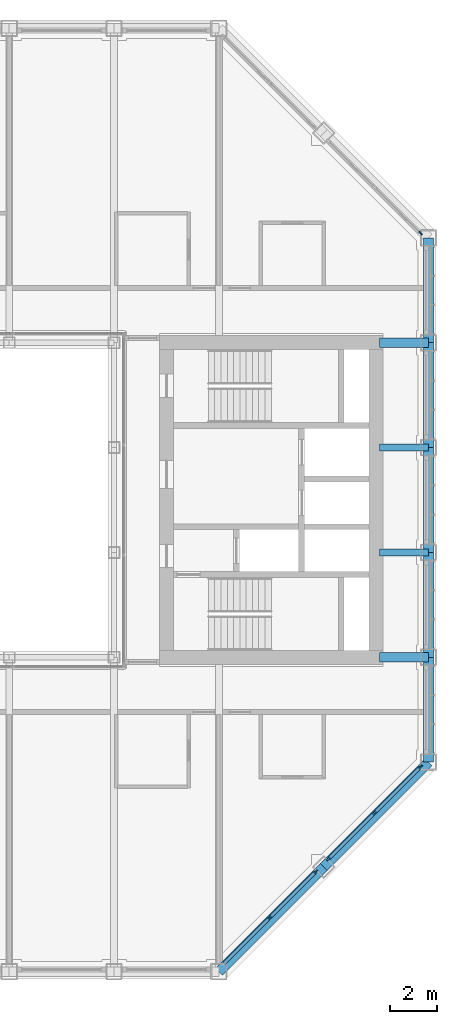
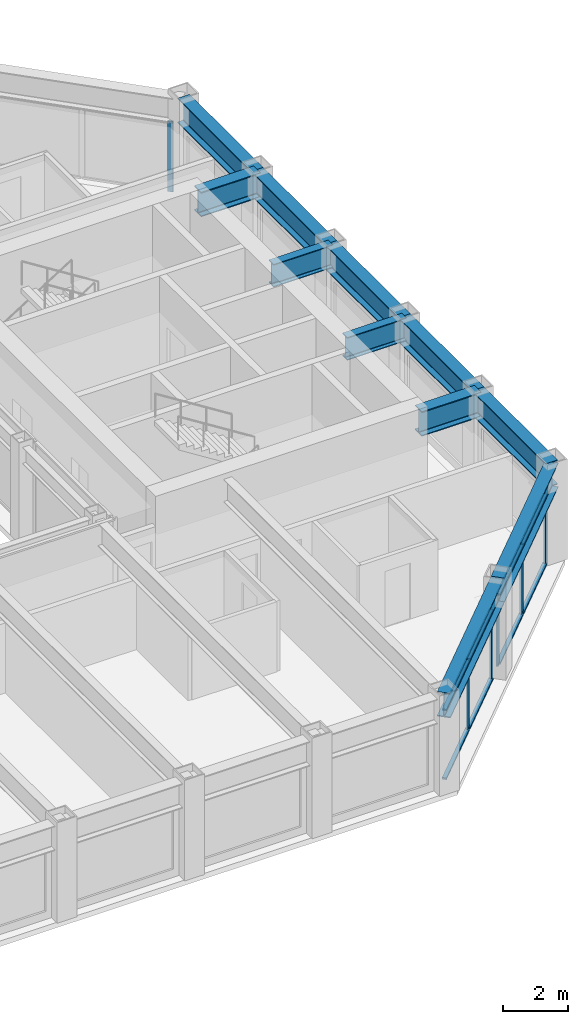
# One storey, part 5 of 16: 14 members, 11 beams, 3 elements without a shape of their own.
"""IFC4 building model written with IfcOpenShell, lengths in metres."""

from ifc_helpers import new_model, si_unit, direction, frame, origin, origin_2d, place, context, subcontext, project, spatial, rectangle, i_section, extrude, material, material_profile, profile_set, type_object, element, aggregate, save


model = new_model("IFC4")

# Units and contexts
model_context = context("Model", 3, precision=1e-05, world=origin(), true_north=direction((0.0, 1.0)))
body_context = subcontext(model_context, "Body", "Model", "MODEL_VIEW")
ifc_project = project(units=[si_unit("LENGTHUNIT", "METRE"), si_unit("AREAUNIT", "SQUARE_METRE"), si_unit("VOLUMEUNIT", "CUBIC_METRE"), si_unit("PLANEANGLEUNIT", "RADIAN"), si_unit("MASSUNIT", "GRAM", prefix="KILO")], contexts=[model_context])

# Site, building, storey
site_placement = place(None, origin())
site = spatial("IfcSite", under=ifc_project, at=site_placement, CompositionType="ELEMENT")
building_placement = place(site_placement, origin())
building = spatial("IfcBuilding", under=site, at=building_placement, Name="Msasa Ring Tower", CompositionType="ELEMENT")
storey_placement = place(building_placement, frame((0.0, 0.0, 215.800048828125)))
storey = spatial("IfcBuildingStorey", under=building, at=storey_placement, Name="L56", CompositionType="ELEMENT", Elevation=215.800048828125)

# Curtain wall, members
ifc_material_1 = material(Name="Aluminium curtain wall with clear glass", Category="aluminium")
curtain_wall_type = type_object("IfcCurtainWallType", Name="CW-C CHAMFER CORNER CURTAIN WALL", PredefinedType="NOTDEFINED", material=ifc_material_1)
curtain_wall_1_placement = place(storey_placement, origin())
curtain_wall_1 = element("IfcCurtainWall", 1, at=curtain_wall_1_placement, inside=storey, type_object=curtain_wall_type, Name="Chamfer corner curtain wall SE L56", PredefinedType="NOTDEFINED")
ifc_material_2 = material(Name="Aluminium mullion", Category="aluminium")
ifc_material_profile_1 = material_profile(ifc_material_2, rectangle(XDim=0.06494140625, YDim=0.179931640625, at=origin_2d()), Name="AL 65x180")
ifc_profile_set_1 = profile_set([ifc_material_profile_1], Name="Aluminium mullion")
member_type_1 = type_object("IfcMemberType", Name="CW-C MULLION 65x180", PredefinedType="MULLION", material=ifc_profile_set_1)
member_1_placement = place(storey_placement, frame((13.42919921875, -17.92919921875, 0.0), z_axis=(0.0, 0.0, 1.0), x_axis=(-0.707106781187, 0.707106781187, 0.0)))
member_1 = element("IfcMember", 2, at=member_1_placement, type_object=member_type_1, Name="CW-C mullion 2", PredefinedType="MULLION", context=body_context, shape_type="SweptSolid", body=[
    extrude(rectangle(XDim=0.06494140625, YDim=0.179931640625, at=origin_2d()), origin(), (0.0, 0.0, 1.0), 2.62890625),
])
member_2_placement = place(storey_placement, frame((15.4052734375, -15.953369140625, 0.0), z_axis=(0.0, 0.0, 1.0), x_axis=(-0.707106781187, 0.707106781187, 0.0)))
member_2 = element("IfcMember", 3, at=member_2_placement, type_object=member_type_1, Name="CW-C mullion 3", PredefinedType="MULLION", context=body_context, shape_type="SweptSolid", body=[
    extrude(rectangle(XDim=0.06494140625, YDim=0.179931640625, at=origin_2d()), origin(), (0.0, 0.0, 1.0), 2.62890625),
])

curtain_wall_2_placement = place(storey_placement, origin())
curtain_wall_2 = element("IfcCurtainWall", 4, at=curtain_wall_2_placement, inside=storey, type_object=curtain_wall_type, Name="Chamfer corner curtain wall SE L56", PredefinedType="NOTDEFINED")
member_3_placement = place(storey_placement, frame((15.953369140625, -15.4052734375, 0.0), z_axis=(0.0, 0.0, 1.0), x_axis=(-0.707106781187, 0.707106781187, 0.0)))
member_3 = element("IfcMember", 5, at=member_3_placement, type_object=member_type_1, Name="CW-C mullion 1", PredefinedType="MULLION", context=body_context, shape_type="SweptSolid", body=[
    extrude(rectangle(XDim=0.06494140625, YDim=0.179931640625, at=origin_2d()), origin(), (0.0, 0.0, 1.0), 2.62890625),
])
member_4_placement = place(storey_placement, frame((17.92919921875, -13.42919921875, 0.0), z_axis=(0.0, 0.0, 1.0), x_axis=(-0.707106781187, 0.707106781187, 0.0)))
member_4 = element("IfcMember", 6, at=member_4_placement, type_object=member_type_1, Name="CW-C mullion 2", PredefinedType="MULLION", context=body_context, shape_type="SweptSolid", body=[
    extrude(rectangle(XDim=0.06494140625, YDim=0.179931640625, at=origin_2d()), origin(), (0.0, 0.0, 1.0), 2.62890625),
])
member_5_placement = place(storey_placement, frame((19.9052734375, -11.453369140625, 0.0), z_axis=(0.0, 0.0, 1.0), x_axis=(-0.707106781187, 0.707106781187, 0.0)))
member_5 = element("IfcMember", 7, at=member_5_placement, type_object=member_type_1, Name="CW-C mullion 3", PredefinedType="MULLION", context=body_context, shape_type="SweptSolid", body=[
    extrude(rectangle(XDim=0.06494140625, YDim=0.179931640625, at=origin_2d()), origin(), (0.0, 0.0, 1.0), 2.62890625),
])

# Curtain wall, member
curtain_wall_3_placement = place(storey_placement, origin())
curtain_wall_3 = element("IfcCurtainWall", 8, at=curtain_wall_3_placement, inside=storey, type_object=curtain_wall_type, Name="Chamfer corner curtain wall NE L56", PredefinedType="NOTDEFINED")
member_6_placement = place(storey_placement, frame((19.9052734375, 11.453369140625, 0.0), z_axis=(0.0, 0.0, 1.0), x_axis=(-0.707106781187, -0.707106781187, 0.0)))
member_6 = element("IfcMember", 9, at=member_6_placement, type_object=member_type_1, Name="CW-C mullion 1", PredefinedType="MULLION", context=body_context, shape_type="SweptSolid", body=[
    extrude(rectangle(XDim=0.06494140625, YDim=0.179931640625, at=origin_2d()), origin(), (0.0, 0.0, 1.0), 2.62890625),
])
aggregate(curtain_wall_3, [member_6])

# Member
ifc_material_3 = material(Name="Aluminium transom", Category="aluminium")
ifc_material_profile_2 = material_profile(ifc_material_3, rectangle(XDim=0.139892578125, YDim=0.06494140625, at=origin_2d()), Name="AL 65x140")
ifc_profile_set_2 = profile_set([ifc_material_profile_2], Name="Aluminium transom")
member_type_2 = type_object("IfcMemberType", Name="CW-C TRANSOM 65x140", PredefinedType="USERDEFINED", material=ifc_profile_set_2)
member_7_placement = place(storey_placement, frame((11.476318359375, -19.88232421875, 0.032470703125), z_axis=(0.707106781187, 0.707106781187, 0.0), x_axis=(-0.707106781187, 0.707106781187, 0.0)))
member_7 = element("IfcMember", 10, at=member_7_placement, type_object=member_type_2, Name="CW-C transom 1.1", ObjectType="TRANSOM", PredefinedType="USERDEFINED", context=body_context, shape_type="SweptSolid", body=[
    extrude(rectangle(XDim=0.139892578125, YDim=0.06494140625, at=origin_2d()), origin(), (0.0, 0.0, 1.0), 2.729248046875),
])

member_8_placement = place(storey_placement, frame((11.476318359375, -19.88232421875, 2.596435546875), z_axis=(0.707106781187, 0.707106781187, 0.0), x_axis=(-0.707106781187, 0.707106781187, 0.0)))
member_8 = element("IfcMember", 11, at=member_8_placement, type_object=member_type_2, Name="CW-C transom 1.2", ObjectType="TRANSOM", PredefinedType="USERDEFINED", context=body_context, shape_type="SweptSolid", body=[
    extrude(rectangle(XDim=0.139892578125, YDim=0.06494140625, at=origin_2d()), origin(), (0.0, 0.0, 1.0), 2.729248046875),
])

member_9_placement = place(storey_placement, frame((13.452392578125, -17.90625, 0.032470703125), z_axis=(0.707106781187, 0.707106781187, 0.0), x_axis=(-0.707106781187, 0.707106781187, 0.0)))
member_9 = element("IfcMember", 12, at=member_9_placement, type_object=member_type_2, Name="CW-C transom 2.1", ObjectType="TRANSOM", PredefinedType="USERDEFINED", context=body_context, shape_type="SweptSolid", body=[
    extrude(rectangle(XDim=0.139892578125, YDim=0.06494140625, at=origin_2d()), origin(), (0.0, 0.0, 1.0), 2.729248046875),
])

member_10_placement = place(storey_placement, frame((13.452392578125, -17.90625, 2.596435546875), z_axis=(0.707106781187, 0.707106781187, 0.0), x_axis=(-0.707106781187, 0.707106781187, 0.0)))
member_10 = element("IfcMember", 13, at=member_10_placement, type_object=member_type_2, Name="CW-C transom 2.2", ObjectType="TRANSOM", PredefinedType="USERDEFINED", context=body_context, shape_type="SweptSolid", body=[
    extrude(rectangle(XDim=0.139892578125, YDim=0.06494140625, at=origin_2d()), origin(), (0.0, 0.0, 1.0), 2.729248046875),
])

aggregate(curtain_wall_1, [member_1, member_2, member_7, member_8, member_9, member_10])

member_11_placement = place(storey_placement, frame((15.976318359375, -15.38232421875, 0.032470703125), z_axis=(0.707106781187, 0.707106781187, 0.0), x_axis=(-0.707106781187, 0.707106781187, 0.0)))
member_11 = element("IfcMember", 14, at=member_11_placement, type_object=member_type_2, Name="CW-C transom 1.1", ObjectType="TRANSOM", PredefinedType="USERDEFINED", context=body_context, shape_type="SweptSolid", body=[
    extrude(rectangle(XDim=0.139892578125, YDim=0.06494140625, at=origin_2d()), origin(), (0.0, 0.0, 1.0), 2.729248046875),
])

member_12_placement = place(storey_placement, frame((15.976318359375, -15.38232421875, 2.596435546875), z_axis=(0.707106781187, 0.707106781187, 0.0), x_axis=(-0.707106781187, 0.707106781187, 0.0)))
member_12 = element("IfcMember", 15, at=member_12_placement, type_object=member_type_2, Name="CW-C transom 1.2", ObjectType="TRANSOM", PredefinedType="USERDEFINED", context=body_context, shape_type="SweptSolid", body=[
    extrude(rectangle(XDim=0.139892578125, YDim=0.06494140625, at=origin_2d()), origin(), (0.0, 0.0, 1.0), 2.729248046875),
])

member_13_placement = place(storey_placement, frame((17.952392578125, -13.40625, 0.032470703125), z_axis=(0.707106781187, 0.707106781187, 0.0), x_axis=(-0.707106781187, 0.707106781187, 0.0)))
member_13 = element("IfcMember", 16, at=member_13_placement, type_object=member_type_2, Name="CW-C transom 2.1", ObjectType="TRANSOM", PredefinedType="USERDEFINED", context=body_context, shape_type="SweptSolid", body=[
    extrude(rectangle(XDim=0.139892578125, YDim=0.06494140625, at=origin_2d()), origin(), (0.0, 0.0, 1.0), 2.729248046875),
])

member_14_placement = place(storey_placement, frame((17.952392578125, -13.40625, 2.596435546875), z_axis=(0.707106781187, 0.707106781187, 0.0), x_axis=(-0.707106781187, 0.707106781187, 0.0)))
member_14 = element("IfcMember", 17, at=member_14_placement, type_object=member_type_2, Name="CW-C transom 2.2", ObjectType="TRANSOM", PredefinedType="USERDEFINED", context=body_context, shape_type="SweptSolid", body=[
    extrude(rectangle(XDim=0.139892578125, YDim=0.06494140625, at=origin_2d()), origin(), (0.0, 0.0, 1.0), 2.729248046875),
])

aggregate(curtain_wall_2, [member_3, member_4, member_5, member_11, member_12, member_13, member_14])

# Beams
ifc_material_4 = material(Name="Steel S355", Category="steel")
ifc_material_profile_3 = material_profile(ifc_material_4, i_section(OverallWidth=0.293701171875, OverallDepth=0.850830078125, WebThickness=0.01611328125, FlangeThickness=0.02685546875, FilletRadius=0.017822265625, at=origin_2d()), Name="UB 838x292x226")
ifc_profile_set_3 = profile_set([ifc_material_profile_3], Name="Steel S355")
beam_type_1 = type_object("IfcBeamType", Name="FB5 UB 838x292x226", PredefinedType="BEAM", material=ifc_profile_set_3)
for number, where, z_axis, x_axis, name in (
    (18, (20.25, -2.25, 3.12451171875), (-1.0, 0.0, 0.0), (0.0, -1.0, 0.0), "Floor beam E -2.25 under L57"),
    (19, (20.25, 2.25, 3.12451171875), (-1.0, 0.0, 0.0), (0.0, -1.0, 0.0), "Floor beam E +2.25 under L57"),
):
    element("IfcBeam", number, at=place(storey_placement, frame(where, z_axis=z_axis, x_axis=x_axis)), inside=storey, type_object=beam_type_1, Name=name, PredefinedType="BEAM", context=body_context, shape_type="SweptSolid", body=[
        extrude(i_section(OverallWidth=0.293701171875, OverallDepth=0.850830078125, WebThickness=0.01611328125, FlangeThickness=0.02685546875, FilletRadius=0.017822265625, at=origin_2d()), origin(), (0.0, 0.0, 1.0), 2.10009765625),
    ])
ifc_material_5 = material(Name="Steel S355", Category="steel")
ifc_material_profile_4 = material_profile(ifc_material_5, i_section(OverallWidth=0.42041015625, OverallDepth=0.9208984375, WebThickness=0.021484375, FlangeThickness=0.03662109375, FilletRadius=0.024169921875, at=origin_2d()), Name="UB 914x419x388")
ifc_profile_set_4 = profile_set([ifc_material_profile_4], Name="Steel S355")
beam_type_2 = type_object("IfcBeamType", Name="GB1 UB 914x419x388", PredefinedType="BEAM", material=ifc_profile_set_4)
for number, where, z_axis, x_axis, name in (
    (20, (18.14990234375, 6.75, 3.08935546875), (1.0, 0.0, 0.0), (0.0, 1.0, 0.0), "Girder E +6.75 under L57"),
    (21, (18.14990234375, -6.75, 3.08935546875), (1.0, 0.0, 0.0), (0.0, 1.0, 0.0), "Girder E -6.75 under L57"),
):
    element("IfcBeam", number, at=place(storey_placement, frame(where, z_axis=z_axis, x_axis=x_axis)), inside=storey, type_object=beam_type_2, Name=name, PredefinedType="BEAM", context=body_context, shape_type="SweptSolid", body=[
        extrude(i_section(OverallWidth=0.42041015625, OverallDepth=0.9208984375, WebThickness=0.021484375, FlangeThickness=0.03662109375, FilletRadius=0.024169921875, at=origin_2d()), origin(), (0.0, 0.0, 1.0), 2.10009765625),
    ])
ifc_material_6 = material(Name="Steel S355", Category="steel")
ifc_material_profile_5 = material_profile(ifc_material_6, i_section(OverallWidth=0.42041015625, OverallDepth=0.9208984375, WebThickness=0.021484375, FlangeThickness=0.03662109375, FilletRadius=0.024169921875, at=origin_2d()), Name="UB 914x419x388")
ifc_profile_set_5 = profile_set([ifc_material_profile_5], Name="Steel S355")
beam_type_3 = type_object("IfcBeamType", Name="SB1 UB 914x419x388", PredefinedType="SPANDREL", material=ifc_profile_set_5)
for number, where, z_axis, x_axis, name in (
    (22, (11.25, -20.25, 3.08935546875), (0.707106781187, 0.707106781187, 0.0), (-0.707106781187, 0.707106781187, 0.0), "Spandrel S+11.25 to SE under L57"),
    (23, (15.75, -15.75, 3.08935546875), (0.707106781187, 0.707106781187, 0.0), (-0.707106781187, 0.707106781187, 0.0), "Spandrel SE to E-11.25 under L57"),
):
    element("IfcBeam", number, at=place(storey_placement, frame(where, z_axis=z_axis, x_axis=x_axis)), inside=storey, type_object=beam_type_3, Name=name, PredefinedType="SPANDREL", context=body_context, shape_type="SweptSolid", body=[
        extrude(i_section(OverallWidth=0.42041015625, OverallDepth=0.9208984375, WebThickness=0.021484375, FlangeThickness=0.03662109375, FilletRadius=0.024169921875, at=origin_2d()), origin(), (0.0, 0.0, 1.0), 6.364013671875),
    ])
for number, where, z_axis, x_axis, name in (
    (24, (20.25, -11.25, 3.08935546875), (0.0, 1.0, 0.0), (-1.0, 0.0, 0.0), "Spandrel E-11.25 to E-6.75 under L57"),
    (25, (20.25, -6.75, 3.08935546875), (0.0, 1.0, 0.0), (-1.0, 0.0, 0.0), "Spandrel E-6.75 to E-2.25 under L57"),
    (26, (20.25, -2.25, 3.08935546875), (0.0, 1.0, 0.0), (-1.0, 0.0, 0.0), "Spandrel E-2.25 to E+2.25 under L57"),
    (27, (20.25, 2.25, 3.08935546875), (0.0, 1.0, 0.0), (-1.0, 0.0, 0.0), "Spandrel E+2.25 to E+6.75 under L57"),
    (28, (20.25, 6.75, 3.08935546875), (0.0, 1.0, 0.0), (-1.0, 0.0, 0.0), "Spandrel E+6.75 to E+11.25 under L57"),
):
    element("IfcBeam", number, at=place(storey_placement, frame(where, z_axis=z_axis, x_axis=x_axis)), inside=storey, type_object=beam_type_3, Name=name, PredefinedType="SPANDREL", context=body_context, shape_type="SweptSolid", body=[
        extrude(i_section(OverallWidth=0.42041015625, OverallDepth=0.9208984375, WebThickness=0.021484375, FlangeThickness=0.03662109375, FilletRadius=0.024169921875, at=origin_2d()), origin(), (0.0, 0.0, 1.0), 4.5),
    ])

save(model, "model.ifc")
